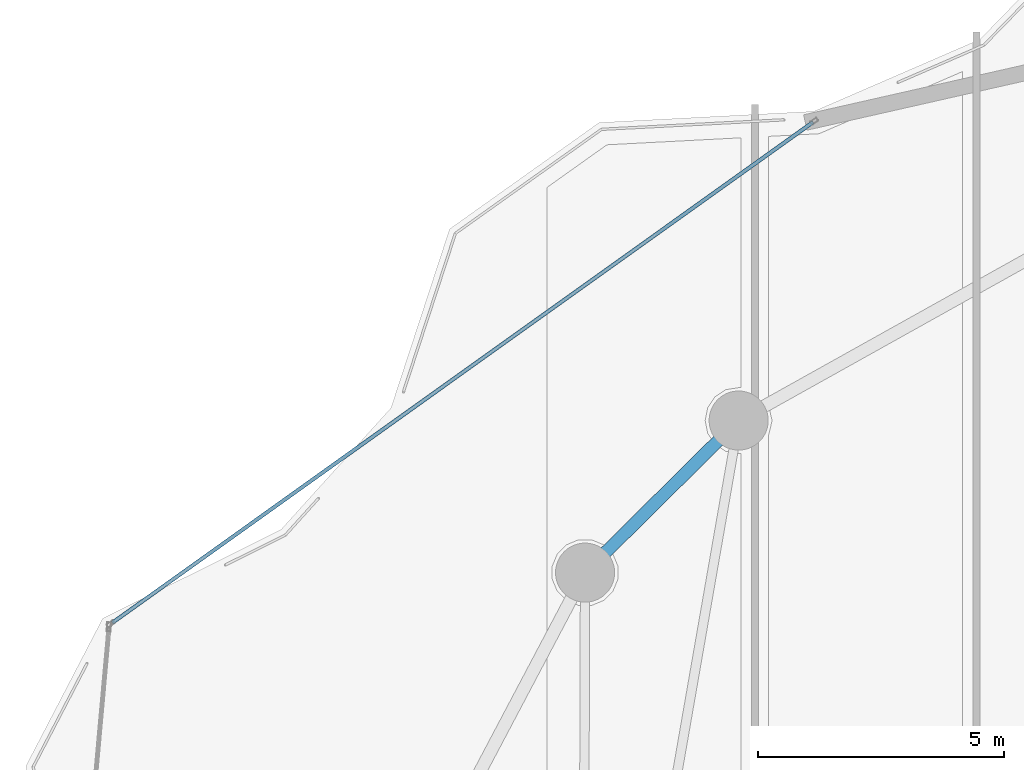
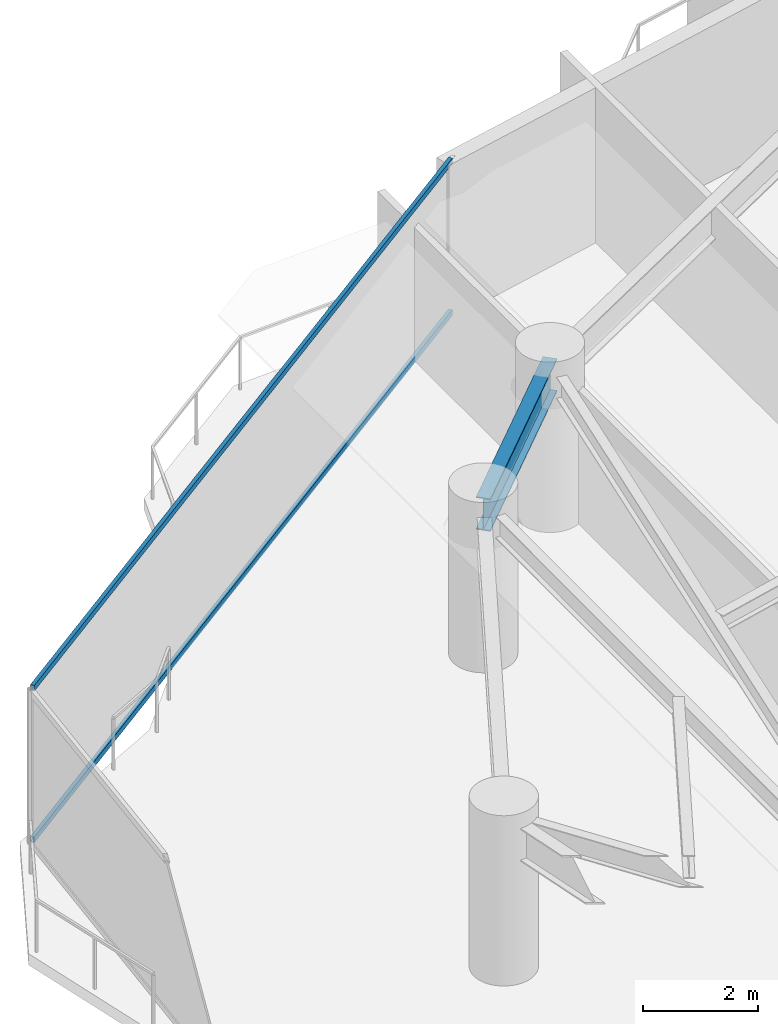
# One storey, part 18 of 33: 2 members, 1 beam, 1 element without a shape of its own.
"""IFC4 building model written with IfcOpenShell, lengths in metres."""

from ifc_helpers import new_model, si_unit, direction, frame, origin, origin_2d, place, context, subcontext, project, spatial, hollow_rectangle, i_section, extrude, material, layer, layer_set, material_profile, profile_set, type_object, element, aggregate, save


model = new_model("IFC4")

# Units and contexts
model_context = context("Model", 3, precision=1e-05, world=origin(), true_north=direction((0.0, 1.0)))
body_context = subcontext(model_context, "Body", "Model", "MODEL_VIEW")
ifc_project = project(units=[si_unit("LENGTHUNIT", "METRE"), si_unit("AREAUNIT", "SQUARE_METRE"), si_unit("VOLUMEUNIT", "CUBIC_METRE"), si_unit("PLANEANGLEUNIT", "RADIAN"), si_unit("MASSUNIT", "GRAM", prefix="KILO")], contexts=[model_context])

# Site, building, storey
site_placement = place(None, origin())
site = spatial("IfcSite", under=ifc_project, at=site_placement, CompositionType="ELEMENT")
building_placement = place(site_placement, origin())
building = spatial("IfcBuilding", under=site, at=building_placement, Name="Kazevale Care Tower and Concert Hall", CompositionType="ELEMENT")
storey_placement = place(building_placement, frame((0.0, 0.0, 178.199951171875)))
storey = spatial("IfcBuildingStorey", under=building, at=storey_placement, Name="L47", CompositionType="ELEMENT", Elevation=178.199951171875)

# Curtain wall, members
ifc_material_1 = material(Name="Aluminium 6063-T6 and Low-E Glass", Category="aluminium")
ifc_layer = layer(ifc_material_1, 0.179931640625)
ifc_layer_set = layer_set([ifc_layer], Name="Aluminium 6063-T6 and Low-E Glass")
curtain_wall_type = type_object("IfcCurtainWallType", Name="Convex Recessed Sunroom Curtain Wall CW-3", PredefinedType="NOTDEFINED", material=ifc_layer_set)
curtain_wall_placement = place(storey_placement, origin())
curtain_wall = element("IfcCurtainWall", 1, at=curtain_wall_placement, inside=storey, type_object=curtain_wall_type, Name="cw:L47:f14", PredefinedType="NOTDEFINED")
ifc_material_2 = material(Name="Aluminium 6063-T6", Category="aluminium")
ifc_material_profile_1 = material_profile(ifc_material_2, hollow_rectangle(XDim=0.074951171875, YDim=0.1201171875, WallThickness=0.00390625, at=origin_2d()), Name="ALU75x120x4")
ifc_profile_set_1 = profile_set([ifc_material_profile_1], Name="Aluminium 6063-T6")
member_type = type_object("IfcMemberType", Name="CW-3 Transom ALU75x120x4", PredefinedType="USERDEFINED", material=ifc_profile_set_1)
member_1_placement = place(storey_placement, frame((12.443115234375, 50.469482421875, 0.03759765625), z_axis=(0.813667466523, 0.581330589185, 0.0), x_axis=(-0.581330589185, 0.813667466523, 0.0)))
member_1 = element("IfcMember", 2, at=member_1_placement, type_object=member_type, Name="CW-3 transom 1.1", ObjectType="TRANSOM", PredefinedType="USERDEFINED", context=body_context, shape_type="SweptSolid", body=[
    extrude(hollow_rectangle(XDim=0.074951171875, YDim=0.1201171875, WallThickness=0.00390625, at=origin_2d()), origin(), (0.0, 0.0, 1.0), 17.495849609375),
])
member_2_placement = place(storey_placement, frame((12.443115234375, 50.469482421875, 3.242431640625), z_axis=(0.813667466523, 0.581330589185, 0.0), x_axis=(-0.581330589185, 0.813667466523, 0.0)))
member_2 = element("IfcMember", 3, at=member_2_placement, type_object=member_type, Name="CW-3 transom 1.2", ObjectType="TRANSOM", PredefinedType="USERDEFINED", context=body_context, shape_type="SweptSolid", body=[
    extrude(hollow_rectangle(XDim=0.074951171875, YDim=0.1201171875, WallThickness=0.00390625, at=origin_2d()), origin(), (0.0, 0.0, 1.0), 17.495849609375),
])
aggregate(curtain_wall, [member_1, member_2])

# Beam
ifc_material_3 = material(Name="Steel ASTM A572 Gr 50", Category="steel")
ifc_material_profile_2 = material_profile(ifc_material_3, i_section(OverallWidth=0.256103515625, OverallDepth=0.693115234375, WebThickness=0.014404296875, FlangeThickness=0.023681640625, at=origin_2d()), Name="W690x170")
ifc_profile_set_2 = profile_set([ifc_material_profile_2], Name="Steel ASTM A572 Gr 50")
beam_type = type_object("IfcBeamType", Name="Waist Ring Beam W690x170", PredefinedType="BEAM", material=ifc_profile_set_2)
beam_placement = place(storey_placement, frame((25.169921875, 54.580078125, 2.93359375), z_axis=(-0.710490141585, -0.703707154085, 0.0), x_axis=(0.703707154085, -0.710490141585, 0.0)))
element("IfcBeam", 4, at=beam_placement, inside=storey, type_object=beam_type, Name="beam:L47:ring:07", PredefinedType="BEAM", context=body_context, shape_type="SweptSolid", body=[
    extrude(i_section(OverallWidth=0.256103515625, OverallDepth=0.693115234375, WebThickness=0.014404296875, FlangeThickness=0.023681640625, at=origin_2d()), origin(), (0.0, 0.0, 1.0), 4.39111328125),
])

save(model, "model.ifc")
